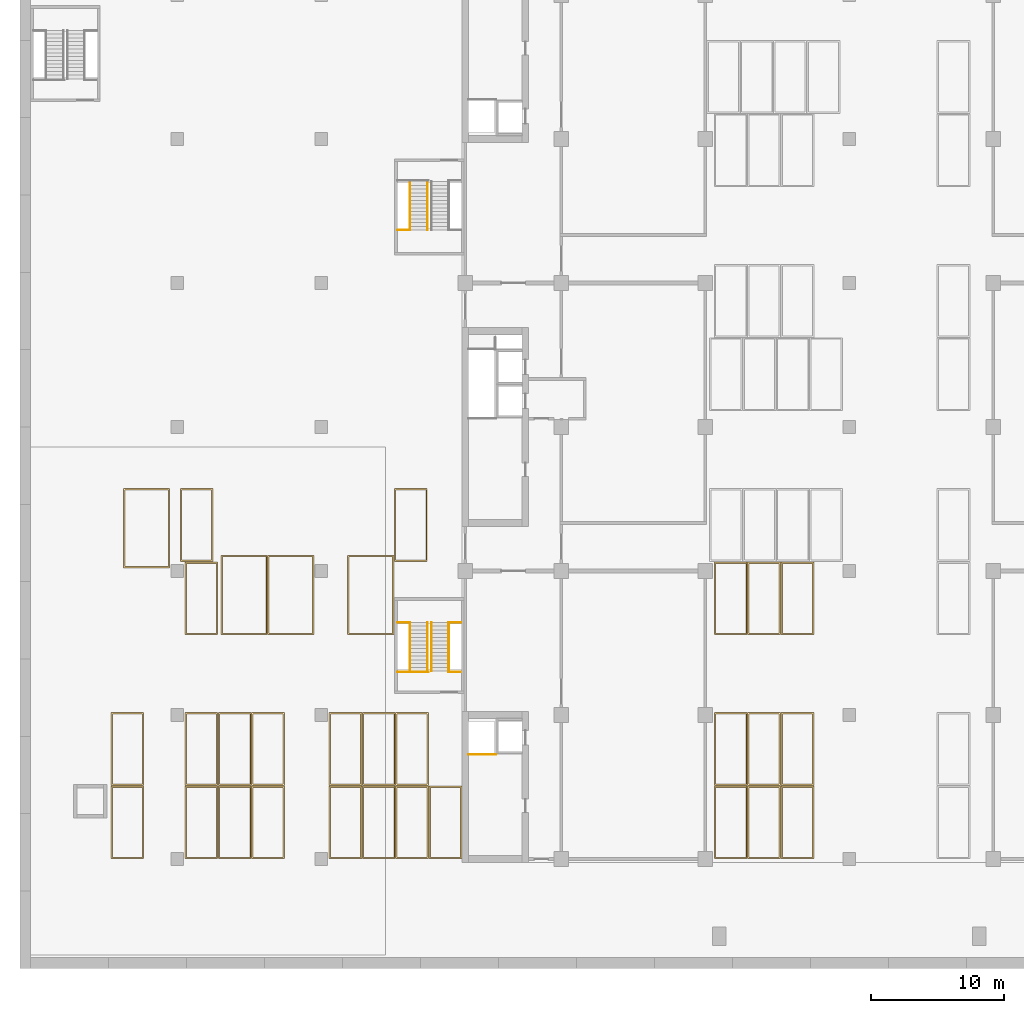
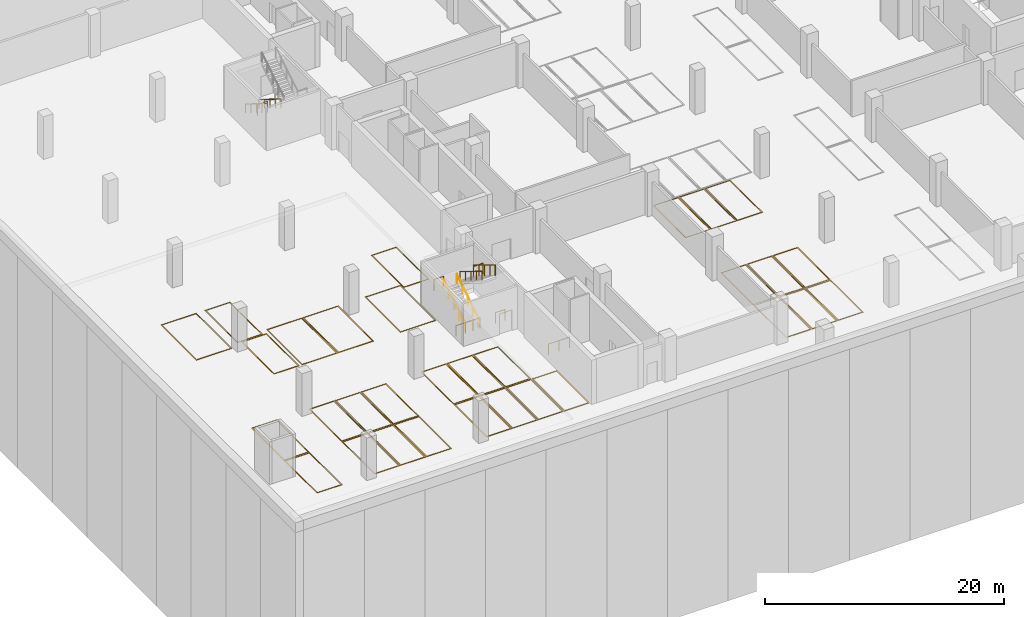
# One storey, part 11 of 18: 31 coverings, 13 railings.
"""IFC4 building model written with IfcOpenShell, lengths in metres."""

from ifc_helpers import new_model, si_unit, direction, frame, origin, origin_2d, place, context, subcontext, project, spatial, polyline, circle, outline, extrude, material, layer, layer_set, type_object, element, save


model = new_model("IFC4")

# Units and contexts
model_context = context("Model", 3, precision=1e-05, world=origin(), true_north=direction((0.0, 1.0)))
body_context = subcontext(model_context, "Body", "Model", "MODEL_VIEW")
ifc_project = project(units=[si_unit("LENGTHUNIT", "METRE"), si_unit("AREAUNIT", "SQUARE_METRE"), si_unit("VOLUMEUNIT", "CUBIC_METRE"), si_unit("PLANEANGLEUNIT", "RADIAN"), si_unit("MASSUNIT", "GRAM", prefix="KILO")], contexts=[model_context])

# Site, building, storey
site_placement = place(None, origin())
site = spatial("IfcSite", under=ifc_project, at=site_placement, CompositionType="ELEMENT")
building_placement = place(site_placement, origin())
building = spatial("IfcBuilding", under=site, at=building_placement, Name="Basin Gate Institute", CompositionType="ELEMENT")
storey_placement = place(building_placement, frame((0.0, 0.0, -4.800048828125)))
storey = spatial("IfcBuildingStorey", under=building, at=storey_placement, Name="B1", CompositionType="ELEMENT", Elevation=-4.800048828125)

# Coverings
ifc_material_1 = material(Name="Road marking paint, blue")
ifc_layer_1 = layer(ifc_material_1, 0.010009765625)
ifc_layer_set_1 = layer_set([ifc_layer_1], Name="Accessible parking bay marking PM2")
covering_type_1 = type_object("IfcCoveringType", Name="Accessible parking bay marking PM2", PredefinedType="FLOORING", material=ifc_layer_set_1)
covering_1_placement = place(storey_placement, origin())
element("IfcCovering", 1, at=covering_1_placement, inside=storey, type_object=covering_type_1, material=ifc_layer_set_1, Name="Accessible parking bay marking B1-01 01", PredefinedType="FLOORING", context=body_context, shape_type="SweptSolid", body=[
    extrude(outline(polyline([(52.3701171875, 51.919921875), (55.830078125, 51.919921875), (55.830078125, 57.8798828125), (52.3701171875, 57.8798828125), (52.3701171875, 51.919921875)]), holes=[polyline([(52.469970703125, 52.02001953125), (55.72998046875, 52.02001953125), (55.72998046875, 57.780029296875), (52.469970703125, 57.780029296875), (52.469970703125, 52.02001953125)])]), origin(), (0.0, 0.0, 1.0), 0.010009765625),
])
covering_2_placement = place(storey_placement, origin())
element("IfcCovering", 2, at=covering_2_placement, inside=storey, type_object=covering_type_1, material=ifc_layer_set_1, Name="Accessible parking bay marking B1-01 02", PredefinedType="FLOORING", context=body_context, shape_type="SweptSolid", body=[
    extrude(outline(polyline([(46.3701171875, 51.919921875), (49.830078125, 51.919921875), (49.830078125, 57.8798828125), (46.3701171875, 57.8798828125), (46.3701171875, 51.919921875)]), holes=[polyline([(46.469970703125, 52.02001953125), (49.72998046875, 52.02001953125), (49.72998046875, 57.780029296875), (46.469970703125, 57.780029296875), (46.469970703125, 52.02001953125)])]), origin(), (0.0, 0.0, 1.0), 0.010009765625),
])
covering_3_placement = place(storey_placement, origin())
element("IfcCovering", 3, at=covering_3_placement, inside=storey, type_object=covering_type_1, material=ifc_layer_set_1, Name="Accessible parking bay marking B1-01 03", PredefinedType="FLOORING", context=body_context, shape_type="SweptSolid", body=[
    extrude(outline(polyline([(42.8701171875, 51.919921875), (46.330078125, 51.919921875), (46.330078125, 57.8798828125), (42.8701171875, 57.8798828125), (42.8701171875, 51.919921875)]), holes=[polyline([(42.969970703125, 52.02001953125), (46.22998046875, 52.02001953125), (46.22998046875, 57.780029296875), (42.969970703125, 57.780029296875), (42.969970703125, 52.02001953125)])]), origin(), (0.0, 0.0, 1.0), 0.010009765625),
])
covering_4_placement = place(storey_placement, origin())
element("IfcCovering", 4, at=covering_4_placement, inside=storey, type_object=covering_type_1, material=ifc_layer_set_1, Name="Accessible parking bay marking B1-01 04", PredefinedType="FLOORING", context=body_context, shape_type="SweptSolid", body=[
    extrude(outline(polyline([(35.570068359375, 56.919921875), (39.030029296875, 56.919921875), (39.030029296875, 62.8798828125), (35.570068359375, 62.8798828125), (35.570068359375, 56.919921875)]), holes=[polyline([(35.669921875, 57.02001953125), (38.929931640625, 57.02001953125), (38.929931640625, 62.780029296875), (35.669921875, 62.780029296875), (35.669921875, 57.02001953125)])]), origin(), (0.0, 0.0, 1.0), 0.010009765625),
])

# Railing
ifc_material_2 = material(Name="Galvanised steel tube and mesh infill", Category="steel")
railing_type_1 = type_object("IfcRailingType", Name="Duct opening guard RL-D", PredefinedType="GUARDRAIL", material=ifc_material_2)
railing_1_placement = place(storey_placement, frame((61.449951171875, 42.93994140625, 0.0)))
element("IfcRailing", 5, at=railing_1_placement, inside=storey, type_object=railing_type_1, material=ifc_material_2, Name="Riser opening guard RL-D WS A", PredefinedType="GUARDRAIL", context=body_context, shape_type="SweptSolid", body=[
    extrude(circle(Radius=0.02392578125, at=origin_2d()), frame((0.0, 0.0, 1.076171875), z_axis=(1.0, 0.0, 0.0), x_axis=(0.0, 1.0, 0.0)), (0.0, 0.0, 1.0), 2.050048828125),
    extrude(circle(Radius=0.02099609375, at=origin_2d()), origin(), (0.0, 0.0, 1.0), 1.052001953125),
    extrude(circle(Radius=0.02099609375, at=origin_2d()), frame((1.02490234375, 0.0, 0.0)), (0.0, 0.0, 1.0), 1.052001953125),
    extrude(circle(Radius=0.02099609375, at=origin_2d()), frame((2.050048828125, 0.0, 0.0)), (0.0, 0.0, 1.0), 1.052001953125),
])

# Coverings
ifc_material_3 = material(Name="Road marking paint, white")
ifc_layer_2 = layer(ifc_material_3, 0.010009765625)
ifc_layer_set_2 = layer_set([ifc_layer_2], Name="Parking bay marking PM1")
covering_type_2 = type_object("IfcCoveringType", Name="Parking bay marking PM1", PredefinedType="FLOORING", material=ifc_layer_set_2)
covering_5_placement = place(storey_placement, origin())
element("IfcCovering", 6, at=covering_5_placement, inside=storey, type_object=covering_type_2, material=ifc_layer_set_2, Name="Parking bay marking B1-01 01", PredefinedType="FLOORING", context=body_context, shape_type="SweptSolid", body=[
    extrude(outline(polyline([(34.6201171875, 35.1201171875), (37.080078125, 35.1201171875), (37.080078125, 40.580078125), (34.6201171875, 40.580078125), (34.6201171875, 35.1201171875)]), holes=[polyline([(34.719970703125, 35.219970703125), (36.97998046875, 35.219970703125), (36.97998046875, 40.47998046875), (34.719970703125, 40.47998046875), (34.719970703125, 35.219970703125)])]), origin(), (0.0, 0.0, 1.0), 0.010009765625),
])
covering_6_placement = place(storey_placement, origin())
element("IfcCovering", 7, at=covering_6_placement, inside=storey, type_object=covering_type_2, material=ifc_layer_set_2, Name="Parking bay marking B1-01 02", PredefinedType="FLOORING", context=body_context, shape_type="SweptSolid", body=[
    extrude(outline(polyline([(40.169921875, 35.1201171875), (42.6298828125, 35.1201171875), (42.6298828125, 40.580078125), (40.169921875, 40.580078125), (40.169921875, 35.1201171875)]), holes=[polyline([(40.27001953125, 35.219970703125), (42.530029296875, 35.219970703125), (42.530029296875, 40.47998046875), (40.27001953125, 40.47998046875), (40.27001953125, 35.219970703125)])]), origin(), (0.0, 0.0, 1.0), 0.010009765625),
])
covering_7_placement = place(storey_placement, origin())
element("IfcCovering", 8, at=covering_7_placement, inside=storey, type_object=covering_type_2, material=ifc_layer_set_2, Name="Parking bay marking B1-01 03", PredefinedType="FLOORING", context=body_context, shape_type="SweptSolid", body=[
    extrude(outline(polyline([(42.669921875, 35.1201171875), (45.1298828125, 35.1201171875), (45.1298828125, 40.580078125), (42.669921875, 40.580078125), (42.669921875, 35.1201171875)]), holes=[polyline([(42.77001953125, 35.219970703125), (45.030029296875, 35.219970703125), (45.030029296875, 40.47998046875), (42.77001953125, 40.47998046875), (42.77001953125, 35.219970703125)])]), origin(), (0.0, 0.0, 1.0), 0.010009765625),
])
covering_8_placement = place(storey_placement, origin())
element("IfcCovering", 9, at=covering_8_placement, inside=storey, type_object=covering_type_2, material=ifc_layer_set_2, Name="Parking bay marking B1-01 04", PredefinedType="FLOORING", context=body_context, shape_type="SweptSolid", body=[
    extrude(outline(polyline([(45.169921875, 35.1201171875), (47.6298828125, 35.1201171875), (47.6298828125, 40.580078125), (45.169921875, 40.580078125), (45.169921875, 35.1201171875)]), holes=[polyline([(45.27001953125, 35.219970703125), (47.530029296875, 35.219970703125), (47.530029296875, 40.47998046875), (45.27001953125, 40.47998046875), (45.27001953125, 35.219970703125)])]), origin(), (0.0, 0.0, 1.0), 0.010009765625),
])
covering_9_placement = place(storey_placement, origin())
element("IfcCovering", 10, at=covering_9_placement, inside=storey, type_object=covering_type_2, material=ifc_layer_set_2, Name="Parking bay marking B1-01 05", PredefinedType="FLOORING", context=body_context, shape_type="SweptSolid", body=[
    extrude(outline(polyline([(50.969970703125, 35.1201171875), (53.429931640625, 35.1201171875), (53.429931640625, 40.580078125), (50.969970703125, 40.580078125), (50.969970703125, 35.1201171875)]), holes=[polyline([(51.070068359375, 35.219970703125), (53.330078125, 35.219970703125), (53.330078125, 40.47998046875), (51.070068359375, 40.47998046875), (51.070068359375, 35.219970703125)])]), origin(), (0.0, 0.0, 1.0), 0.010009765625),
])
covering_10_placement = place(storey_placement, origin())
element("IfcCovering", 11, at=covering_10_placement, inside=storey, type_object=covering_type_2, material=ifc_layer_set_2, Name="Parking bay marking B1-01 06", PredefinedType="FLOORING", context=body_context, shape_type="SweptSolid", body=[
    extrude(outline(polyline([(53.469970703125, 35.1201171875), (55.929931640625, 35.1201171875), (55.929931640625, 40.580078125), (53.469970703125, 40.580078125), (53.469970703125, 35.1201171875)]), holes=[polyline([(53.570068359375, 35.219970703125), (55.830078125, 35.219970703125), (55.830078125, 40.47998046875), (53.570068359375, 40.47998046875), (53.570068359375, 35.219970703125)])]), origin(), (0.0, 0.0, 1.0), 0.010009765625),
])
covering_11_placement = place(storey_placement, origin())
element("IfcCovering", 12, at=covering_11_placement, inside=storey, type_object=covering_type_2, material=ifc_layer_set_2, Name="Parking bay marking B1-01 07", PredefinedType="FLOORING", context=body_context, shape_type="SweptSolid", body=[
    extrude(outline(polyline([(55.969970703125, 35.1201171875), (58.429931640625, 35.1201171875), (58.429931640625, 40.580078125), (55.969970703125, 40.580078125), (55.969970703125, 35.1201171875)]), holes=[polyline([(56.070068359375, 35.219970703125), (58.330078125, 35.219970703125), (58.330078125, 40.47998046875), (56.070068359375, 40.47998046875), (56.070068359375, 35.219970703125)])]), origin(), (0.0, 0.0, 1.0), 0.010009765625),
])
covering_12_placement = place(storey_placement, origin())
element("IfcCovering", 13, at=covering_12_placement, inside=storey, type_object=covering_type_2, material=ifc_layer_set_2, Name="Parking bay marking B1-01 08", PredefinedType="FLOORING", context=body_context, shape_type="SweptSolid", body=[
    extrude(outline(polyline([(58.469970703125, 35.1201171875), (60.929931640625, 35.1201171875), (60.929931640625, 40.580078125), (58.469970703125, 40.580078125), (58.469970703125, 35.1201171875)]), holes=[polyline([(58.570068359375, 35.219970703125), (60.830078125, 35.219970703125), (60.830078125, 40.47998046875), (58.570068359375, 40.47998046875), (58.570068359375, 35.219970703125)])]), origin(), (0.0, 0.0, 1.0), 0.010009765625),
])
covering_13_placement = place(storey_placement, origin())
element("IfcCovering", 14, at=covering_13_placement, inside=storey, type_object=covering_type_2, material=ifc_layer_set_2, Name="Parking bay marking B1-01 09", PredefinedType="FLOORING", context=body_context, shape_type="SweptSolid", body=[
    extrude(outline(polyline([(34.6201171875, 40.6201171875), (37.080078125, 40.6201171875), (37.080078125, 46.080078125), (34.6201171875, 46.080078125), (34.6201171875, 40.6201171875)]), holes=[polyline([(34.719970703125, 40.719970703125), (36.97998046875, 40.719970703125), (36.97998046875, 45.97998046875), (34.719970703125, 45.97998046875), (34.719970703125, 40.719970703125)])]), origin(), (0.0, 0.0, 1.0), 0.010009765625),
])
covering_14_placement = place(storey_placement, origin())
element("IfcCovering", 15, at=covering_14_placement, inside=storey, type_object=covering_type_2, material=ifc_layer_set_2, Name="Parking bay marking B1-01 10", PredefinedType="FLOORING", context=body_context, shape_type="SweptSolid", body=[
    extrude(outline(polyline([(40.169921875, 40.6201171875), (42.6298828125, 40.6201171875), (42.6298828125, 46.080078125), (40.169921875, 46.080078125), (40.169921875, 40.6201171875)]), holes=[polyline([(40.27001953125, 40.719970703125), (42.530029296875, 40.719970703125), (42.530029296875, 45.97998046875), (40.27001953125, 45.97998046875), (40.27001953125, 40.719970703125)])]), origin(), (0.0, 0.0, 1.0), 0.010009765625),
])
covering_15_placement = place(storey_placement, origin())
element("IfcCovering", 16, at=covering_15_placement, inside=storey, type_object=covering_type_2, material=ifc_layer_set_2, Name="Parking bay marking B1-01 11", PredefinedType="FLOORING", context=body_context, shape_type="SweptSolid", body=[
    extrude(outline(polyline([(42.669921875, 40.6201171875), (45.1298828125, 40.6201171875), (45.1298828125, 46.080078125), (42.669921875, 46.080078125), (42.669921875, 40.6201171875)]), holes=[polyline([(42.77001953125, 40.719970703125), (45.030029296875, 40.719970703125), (45.030029296875, 45.97998046875), (42.77001953125, 45.97998046875), (42.77001953125, 40.719970703125)])]), origin(), (0.0, 0.0, 1.0), 0.010009765625),
])
covering_16_placement = place(storey_placement, origin())
element("IfcCovering", 17, at=covering_16_placement, inside=storey, type_object=covering_type_2, material=ifc_layer_set_2, Name="Parking bay marking B1-01 12", PredefinedType="FLOORING", context=body_context, shape_type="SweptSolid", body=[
    extrude(outline(polyline([(45.169921875, 40.6201171875), (47.6298828125, 40.6201171875), (47.6298828125, 46.080078125), (45.169921875, 46.080078125), (45.169921875, 40.6201171875)]), holes=[polyline([(45.27001953125, 40.719970703125), (47.530029296875, 40.719970703125), (47.530029296875, 45.97998046875), (45.27001953125, 45.97998046875), (45.27001953125, 40.719970703125)])]), origin(), (0.0, 0.0, 1.0), 0.010009765625),
])
covering_17_placement = place(storey_placement, origin())
element("IfcCovering", 18, at=covering_17_placement, inside=storey, type_object=covering_type_2, material=ifc_layer_set_2, Name="Parking bay marking B1-01 13", PredefinedType="FLOORING", context=body_context, shape_type="SweptSolid", body=[
    extrude(outline(polyline([(50.969970703125, 40.6201171875), (53.429931640625, 40.6201171875), (53.429931640625, 46.080078125), (50.969970703125, 46.080078125), (50.969970703125, 40.6201171875)]), holes=[polyline([(51.070068359375, 40.719970703125), (53.330078125, 40.719970703125), (53.330078125, 45.97998046875), (51.070068359375, 45.97998046875), (51.070068359375, 40.719970703125)])]), origin(), (0.0, 0.0, 1.0), 0.010009765625),
])
covering_18_placement = place(storey_placement, origin())
element("IfcCovering", 19, at=covering_18_placement, inside=storey, type_object=covering_type_2, material=ifc_layer_set_2, Name="Parking bay marking B1-01 14", PredefinedType="FLOORING", context=body_context, shape_type="SweptSolid", body=[
    extrude(outline(polyline([(53.469970703125, 40.6201171875), (55.929931640625, 40.6201171875), (55.929931640625, 46.080078125), (53.469970703125, 46.080078125), (53.469970703125, 40.6201171875)]), holes=[polyline([(53.570068359375, 40.719970703125), (55.830078125, 40.719970703125), (55.830078125, 45.97998046875), (53.570068359375, 45.97998046875), (53.570068359375, 40.719970703125)])]), origin(), (0.0, 0.0, 1.0), 0.010009765625),
])
covering_19_placement = place(storey_placement, origin())
element("IfcCovering", 20, at=covering_19_placement, inside=storey, type_object=covering_type_2, material=ifc_layer_set_2, Name="Parking bay marking B1-01 15", PredefinedType="FLOORING", context=body_context, shape_type="SweptSolid", body=[
    extrude(outline(polyline([(55.969970703125, 40.6201171875), (58.429931640625, 40.6201171875), (58.429931640625, 46.080078125), (55.969970703125, 46.080078125), (55.969970703125, 40.6201171875)]), holes=[polyline([(56.070068359375, 40.719970703125), (58.330078125, 40.719970703125), (58.330078125, 45.97998046875), (56.070068359375, 45.97998046875), (56.070068359375, 40.719970703125)])]), origin(), (0.0, 0.0, 1.0), 0.010009765625),
])
covering_20_placement = place(storey_placement, origin())
element("IfcCovering", 21, at=covering_20_placement, inside=storey, type_object=covering_type_2, material=ifc_layer_set_2, Name="Parking bay marking B1-01 16", PredefinedType="FLOORING", context=body_context, shape_type="SweptSolid", body=[
    extrude(outline(polyline([(40.169921875, 51.919921875), (42.6298828125, 51.919921875), (42.6298828125, 57.3798828125), (40.169921875, 57.3798828125), (40.169921875, 51.919921875)]), holes=[polyline([(40.27001953125, 52.02001953125), (42.530029296875, 52.02001953125), (42.530029296875, 57.280029296875), (40.27001953125, 57.280029296875), (40.27001953125, 52.02001953125)])]), origin(), (0.0, 0.0, 1.0), 0.010009765625),
])
covering_21_placement = place(storey_placement, origin())
element("IfcCovering", 22, at=covering_21_placement, inside=storey, type_object=covering_type_2, material=ifc_layer_set_2, Name="Parking bay marking B1-01 17", PredefinedType="FLOORING", context=body_context, shape_type="SweptSolid", body=[
    extrude(outline(polyline([(39.820068359375, 57.419921875), (42.280029296875, 57.419921875), (42.280029296875, 62.8798828125), (39.820068359375, 62.8798828125), (39.820068359375, 57.419921875)]), holes=[polyline([(39.919921875, 57.52001953125), (42.179931640625, 57.52001953125), (42.179931640625, 62.780029296875), (39.919921875, 62.780029296875), (39.919921875, 57.52001953125)])]), origin(), (0.0, 0.0, 1.0), 0.010009765625),
])
covering_22_placement = place(storey_placement, origin())
element("IfcCovering", 23, at=covering_22_placement, inside=storey, type_object=covering_type_2, material=ifc_layer_set_2, Name="Parking bay marking B1-01 18", PredefinedType="FLOORING", context=body_context, shape_type="SweptSolid", body=[
    extrude(outline(polyline([(55.8701171875, 57.419921875), (58.330078125, 57.419921875), (58.330078125, 62.8798828125), (55.8701171875, 62.8798828125), (55.8701171875, 57.419921875)]), holes=[polyline([(55.969970703125, 57.52001953125), (58.22998046875, 57.52001953125), (58.22998046875, 62.780029296875), (55.969970703125, 62.780029296875), (55.969970703125, 57.52001953125)])]), origin(), (0.0, 0.0, 1.0), 0.010009765625),
])
covering_23_placement = place(storey_placement, origin())
element("IfcCovering", 24, at=covering_23_placement, inside=storey, type_object=covering_type_2, material=ifc_layer_set_2, Name="Parking bay marking B1-02 51", PredefinedType="FLOORING", context=body_context, shape_type="SweptSolid", body=[
    extrude(outline(polyline([(79.8701171875, 35.1201171875), (82.330078125, 35.1201171875), (82.330078125, 40.580078125), (79.8701171875, 40.580078125), (79.8701171875, 35.1201171875)]), holes=[polyline([(79.969970703125, 35.219970703125), (82.22998046875, 35.219970703125), (82.22998046875, 40.47998046875), (79.969970703125, 40.47998046875), (79.969970703125, 35.219970703125)])]), origin(), (0.0, 0.0, 1.0), 0.010009765625),
])
covering_24_placement = place(storey_placement, origin())
element("IfcCovering", 25, at=covering_24_placement, inside=storey, type_object=covering_type_2, material=ifc_layer_set_2, Name="Parking bay marking B1-02 52", PredefinedType="FLOORING", context=body_context, shape_type="SweptSolid", body=[
    extrude(outline(polyline([(82.3701171875, 35.1201171875), (84.830078125, 35.1201171875), (84.830078125, 40.580078125), (82.3701171875, 40.580078125), (82.3701171875, 35.1201171875)]), holes=[polyline([(82.469970703125, 35.219970703125), (84.72998046875, 35.219970703125), (84.72998046875, 40.47998046875), (82.469970703125, 40.47998046875), (82.469970703125, 35.219970703125)])]), origin(), (0.0, 0.0, 1.0), 0.010009765625),
])
covering_25_placement = place(storey_placement, origin())
element("IfcCovering", 26, at=covering_25_placement, inside=storey, type_object=covering_type_2, material=ifc_layer_set_2, Name="Parking bay marking B1-02 53", PredefinedType="FLOORING", context=body_context, shape_type="SweptSolid", body=[
    extrude(outline(polyline([(84.8701171875, 35.1201171875), (87.330078125, 35.1201171875), (87.330078125, 40.580078125), (84.8701171875, 40.580078125), (84.8701171875, 35.1201171875)]), holes=[polyline([(84.969970703125, 35.219970703125), (87.22998046875, 35.219970703125), (87.22998046875, 40.47998046875), (84.969970703125, 40.47998046875), (84.969970703125, 35.219970703125)])]), origin(), (0.0, 0.0, 1.0), 0.010009765625),
])
covering_26_placement = place(storey_placement, origin())
element("IfcCovering", 27, at=covering_26_placement, inside=storey, type_object=covering_type_2, material=ifc_layer_set_2, Name="Parking bay marking B1-02 54", PredefinedType="FLOORING", context=body_context, shape_type="SweptSolid", body=[
    extrude(outline(polyline([(79.8701171875, 40.6201171875), (82.330078125, 40.6201171875), (82.330078125, 46.080078125), (79.8701171875, 46.080078125), (79.8701171875, 40.6201171875)]), holes=[polyline([(79.969970703125, 40.719970703125), (82.22998046875, 40.719970703125), (82.22998046875, 45.97998046875), (79.969970703125, 45.97998046875), (79.969970703125, 40.719970703125)])]), origin(), (0.0, 0.0, 1.0), 0.010009765625),
])
covering_27_placement = place(storey_placement, origin())
element("IfcCovering", 28, at=covering_27_placement, inside=storey, type_object=covering_type_2, material=ifc_layer_set_2, Name="Parking bay marking B1-02 55", PredefinedType="FLOORING", context=body_context, shape_type="SweptSolid", body=[
    extrude(outline(polyline([(82.3701171875, 40.6201171875), (84.830078125, 40.6201171875), (84.830078125, 46.080078125), (82.3701171875, 46.080078125), (82.3701171875, 40.6201171875)]), holes=[polyline([(82.469970703125, 40.719970703125), (84.72998046875, 40.719970703125), (84.72998046875, 45.97998046875), (82.469970703125, 45.97998046875), (82.469970703125, 40.719970703125)])]), origin(), (0.0, 0.0, 1.0), 0.010009765625),
])
covering_28_placement = place(storey_placement, origin())
element("IfcCovering", 29, at=covering_28_placement, inside=storey, type_object=covering_type_2, material=ifc_layer_set_2, Name="Parking bay marking B1-02 56", PredefinedType="FLOORING", context=body_context, shape_type="SweptSolid", body=[
    extrude(outline(polyline([(84.8701171875, 40.6201171875), (87.330078125, 40.6201171875), (87.330078125, 46.080078125), (84.8701171875, 46.080078125), (84.8701171875, 40.6201171875)]), holes=[polyline([(84.969970703125, 40.719970703125), (87.22998046875, 40.719970703125), (87.22998046875, 45.97998046875), (84.969970703125, 45.97998046875), (84.969970703125, 40.719970703125)])]), origin(), (0.0, 0.0, 1.0), 0.010009765625),
])
covering_29_placement = place(storey_placement, origin())
element("IfcCovering", 30, at=covering_29_placement, inside=storey, type_object=covering_type_2, material=ifc_layer_set_2, Name="Parking bay marking B1-02 57", PredefinedType="FLOORING", context=body_context, shape_type="SweptSolid", body=[
    extrude(outline(polyline([(79.8701171875, 51.919921875), (82.330078125, 51.919921875), (82.330078125, 57.3798828125), (79.8701171875, 57.3798828125), (79.8701171875, 51.919921875)]), holes=[polyline([(79.969970703125, 52.02001953125), (82.22998046875, 52.02001953125), (82.22998046875, 57.280029296875), (79.969970703125, 57.280029296875), (79.969970703125, 52.02001953125)])]), origin(), (0.0, 0.0, 1.0), 0.010009765625),
])
covering_30_placement = place(storey_placement, origin())
element("IfcCovering", 31, at=covering_30_placement, inside=storey, type_object=covering_type_2, material=ifc_layer_set_2, Name="Parking bay marking B1-02 58", PredefinedType="FLOORING", context=body_context, shape_type="SweptSolid", body=[
    extrude(outline(polyline([(82.3701171875, 51.919921875), (84.830078125, 51.919921875), (84.830078125, 57.3798828125), (82.3701171875, 57.3798828125), (82.3701171875, 51.919921875)]), holes=[polyline([(82.469970703125, 52.02001953125), (84.72998046875, 52.02001953125), (84.72998046875, 57.280029296875), (82.469970703125, 57.280029296875), (82.469970703125, 52.02001953125)])]), origin(), (0.0, 0.0, 1.0), 0.010009765625),
])
covering_31_placement = place(storey_placement, origin())
element("IfcCovering", 32, at=covering_31_placement, inside=storey, type_object=covering_type_2, material=ifc_layer_set_2, Name="Parking bay marking B1-02 59", PredefinedType="FLOORING", context=body_context, shape_type="SweptSolid", body=[
    extrude(outline(polyline([(84.8701171875, 51.919921875), (87.330078125, 51.919921875), (87.330078125, 57.3798828125), (84.8701171875, 57.3798828125), (84.8701171875, 51.919921875)]), holes=[polyline([(84.969970703125, 52.02001953125), (87.22998046875, 52.02001953125), (87.22998046875, 57.280029296875), (84.969970703125, 57.280029296875), (84.969970703125, 52.02001953125)])]), origin(), (0.0, 0.0, 1.0), 0.010009765625),
])

# Railings
ifc_material_4 = material(Name="Stainless steel", Category="steel")
railing_type_2 = type_object("IfcRailingType", Name="Stair guard GR1", PredefinedType="GUARDRAIL", material=ifc_material_4)
railing_2_placement = place(storey_placement, frame((57.050048828125, 49.1201171875, 0.0)))
element("IfcRailing", 33, at=railing_2_placement, inside=storey, type_object=railing_type_2, material=ifc_material_4, Name="Stair guard GR1 BS1 GD4-B2", PredefinedType="GUARDRAIL", context=body_context, shape_type="SweptSolid", body=[
    extrude(circle(Radius=0.02392578125, at=origin_2d()), frame((0.0, 0.0, 1.076171875), z_axis=(1.0, 0.0, 0.0), x_axis=(0.0, 1.0, 0.0)), (0.0, 0.0, 1.0), 1.39990234375),
    extrude(circle(Radius=0.02099609375, at=origin_2d()), origin(), (0.0, 0.0, 1.0), 1.052001953125),
    extrude(circle(Radius=0.02099609375, at=origin_2d()), frame((0.699951171875, 0.0, 0.0)), (0.0, 0.0, 1.0), 1.052001953125),
    extrude(circle(Radius=0.02099609375, at=origin_2d()), frame((1.39990234375, 0.0, 0.0)), (0.0, 0.0, 1.0), 1.052001953125),
])
railing_3_placement = place(storey_placement, frame((56.1298828125, 49.1201171875, 0.0)))
element("IfcRailing", 34, at=railing_3_placement, inside=storey, type_object=railing_type_2, material=ifc_material_4, Name="Stair guard GR1 BS1 GD4b-B2", PredefinedType="GUARDRAIL", context=body_context, shape_type="SweptSolid", body=[
    extrude(circle(Radius=0.02392578125, at=origin_2d()), frame((0.0, 0.0, 1.076171875), z_axis=(1.0, 0.0, 0.0), x_axis=(0.0, 1.0, 0.0)), (0.0, 0.0, 1.0), 0.920166015625),
    extrude(circle(Radius=0.02099609375, at=origin_2d()), origin(), (0.0, 0.0, 1.0), 1.052001953125),
    extrude(circle(Radius=0.02099609375, at=origin_2d()), frame((0.920166015625, 0.0, 0.0)), (0.0, 0.0, 1.0), 1.052001953125),
])
railing_4_placement = place(storey_placement, frame((59.949951171875, 49.1201171875, 0.0)))
element("IfcRailing", 35, at=railing_4_placement, inside=storey, type_object=railing_type_2, material=ifc_material_4, Name="Stair guard GR1 BS1 GD5-B2", PredefinedType="GUARDRAIL", context=body_context, shape_type="SweptSolid", body=[
    extrude(circle(Radius=0.02392578125, at=origin_2d()), frame((0.0, 0.0, 1.076171875), z_axis=(1.0, 0.0, 0.0), x_axis=(0.0, 1.0, 0.0)), (0.0, 0.0, 1.0), 0.900146484375),
    extrude(circle(Radius=0.02099609375, at=origin_2d()), origin(), (0.0, 0.0, 1.0), 1.052001953125),
    extrude(circle(Radius=0.02099609375, at=origin_2d()), frame((0.900146484375, 0.0, 0.0)), (0.0, 0.0, 1.0), 1.052001953125),
])
railing_5_placement = place(storey_placement, frame((59.949951171875, 52.840087890625, 2.571533203125)))
element("IfcRailing", 36, at=railing_5_placement, inside=storey, type_object=railing_type_2, material=ifc_material_4, Name="Stair guard GR1 BS1 GD1", PredefinedType="GUARDRAIL", context=body_context, shape_type="SweptSolid", body=[
    extrude(circle(Radius=0.02392578125, at=origin_2d()), frame((0.0, 0.0, 1.076171875), z_axis=(0.0, -0.852865859571, 0.52213008492), x_axis=(1.0, 0.0, 0.0)), (0.0, 0.0, 1.0), 4.26806640625),
    extrude(circle(Radius=0.02099609375, at=origin_2d()), origin(), (0.0, 0.0, 1.0), 1.052001953125),
    extrude(circle(Radius=0.02099609375, at=origin_2d()), frame((0.0, -0.91015625, 0.55712890625)), (0.0, 0.0, 1.0), 1.052001953125),
    extrude(circle(Radius=0.02099609375, at=origin_2d()), frame((0.0, -1.820068359375, 1.1142578125)), (0.0, 0.0, 1.0), 1.052001953125),
    extrude(circle(Radius=0.02099609375, at=origin_2d()), frame((0.0, -2.72998046875, 1.67138671875)), (0.0, 0.0, 1.0), 1.052001953125),
    extrude(circle(Radius=0.02099609375, at=origin_2d()), frame((0.0, -3.64013671875, 2.228515625)), (0.0, 0.0, 1.0), 1.052001953125),
])
ifc_material_5 = material(Name="Stainless steel", Category="steel")
railing_type_3 = type_object("IfcRailingType", Name="Stair guard GR3", PredefinedType="GUARDRAIL", material=ifc_material_5)
for number, where, name in (
    (37, (59.949951171875, 52.840087890625, 2.400146484375), "Stair guard GR3 BS1 GD2"),
    (38, (56.1298828125, 52.840087890625, 2.400146484375), "Stair guard GR3 BS1 GD2b"),
    (39, (56.1298828125, 82.260009765625, 2.400146484375), "Stair guard GR3 BS2 GD2b"),
):
    element("IfcRailing", number, at=place(storey_placement, frame(where)), inside=storey, type_object=railing_type_3, material=ifc_material_5, Name=name, PredefinedType="GUARDRAIL", context=body_context, shape_type="SweptSolid", body=[
        extrude(circle(Radius=0.02392578125, at=origin_2d()), frame((0.0, 0.0, 1.1259765625), z_axis=(1.0, 0.0, 0.0), x_axis=(0.0, 1.0, 0.0)), (0.0, 0.0, 1.0), 0.920166015625),
        extrude(circle(Radius=0.02099609375, at=origin_2d()), origin(), (0.0, 0.0, 1.0), 1.101806640625),
        extrude(circle(Radius=0.02099609375, at=origin_2d()), frame((0.920166015625, 0.0, 0.0)), (0.0, 0.0, 1.0), 1.101806640625),
    ])
ifc_material_6 = material(Name="Stainless steel", Category="steel")
railing_type_4 = type_object("IfcRailingType", Name="Stair handrail HR1", PredefinedType="HANDRAIL", material=ifc_material_6)
for number, where, name in (
    (40, (57.050048828125, 49.199951171875, 0.17138671875), "Stair handrail HR1 BS1 HR1"),
    (41, (58.35009765625, 49.199951171875, 0.17138671875), "Stair handrail HR1 BS1 HR2"),
):
    element("IfcRailing", number, at=place(storey_placement, frame(where)), inside=storey, type_object=railing_type_4, material=ifc_material_6, Name=name, PredefinedType="HANDRAIL", context=body_context, shape_type="SweptSolid", body=[
        extrude(circle(Radius=0.02392578125, at=origin_2d()), frame((0.0, 0.0, 0.89599609375), z_axis=(0.0, 0.852840387347, 0.522171689878), x_axis=(-1.0, 0.0, 0.0)), (0.0, 0.0, 1.0), 4.268310546875),
        extrude(circle(Radius=0.02099609375, at=origin_2d()), origin(), (0.0, 0.0, 1.0), 0.871826171875),
        extrude(circle(Radius=0.02099609375, at=origin_2d()), frame((0.0, 0.91015625, 0.55712890625)), (0.0, 0.0, 1.0), 0.871826171875),
        extrude(circle(Radius=0.02099609375, at=origin_2d()), frame((0.0, 1.820068359375, 1.1142578125)), (0.0, 0.0, 1.0), 0.871826171875),
        extrude(circle(Radius=0.02099609375, at=origin_2d()), frame((0.0, 2.72998046875, 1.671630859375)), (0.0, 0.0, 1.0), 0.871826171875),
        extrude(circle(Radius=0.02099609375, at=origin_2d()), frame((0.0, 3.64013671875, 2.228759765625)), (0.0, 0.0, 1.0), 0.871826171875),
    ])
railing_6_placement = place(storey_placement, frame((58.64990234375, 52.840087890625, 2.571533203125)))
element("IfcRailing", 42, at=railing_6_placement, inside=storey, type_object=railing_type_4, material=ifc_material_6, Name="Stair handrail HR1 BS1 HR3", PredefinedType="HANDRAIL", context=body_context, shape_type="SweptSolid", body=[
    extrude(circle(Radius=0.02392578125, at=origin_2d()), frame((0.0, 0.0, 0.89599609375), z_axis=(0.0, -0.852865859571, 0.52213008492), x_axis=(1.0, 0.0, 0.0)), (0.0, 0.0, 1.0), 4.26806640625),
    extrude(circle(Radius=0.02099609375, at=origin_2d()), origin(), (0.0, 0.0, 1.0), 0.871826171875),
    extrude(circle(Radius=0.02099609375, at=origin_2d()), frame((0.0, -0.91015625, 0.55712890625)), (0.0, 0.0, 1.0), 0.871826171875),
    extrude(circle(Radius=0.02099609375, at=origin_2d()), frame((0.0, -1.820068359375, 1.1142578125)), (0.0, 0.0, 1.0), 0.871826171875),
    extrude(circle(Radius=0.02099609375, at=origin_2d()), frame((0.0, -2.72998046875, 1.67138671875)), (0.0, 0.0, 1.0), 0.871826171875),
    extrude(circle(Radius=0.02099609375, at=origin_2d()), frame((0.0, -3.64013671875, 2.228515625)), (0.0, 0.0, 1.0), 0.871826171875),
])
for number, where, name in (
    (43, (57.050048828125, 85.89990234375, 0.17138671875), "Stair handrail HR1 BS2 HR1"),
    (44, (58.35009765625, 85.89990234375, 0.17138671875), "Stair handrail HR1 BS2 HR2"),
):
    element("IfcRailing", number, at=place(storey_placement, frame(where)), inside=storey, type_object=railing_type_4, material=ifc_material_6, Name=name, PredefinedType="HANDRAIL", context=body_context, shape_type="SweptSolid", body=[
        extrude(circle(Radius=0.02392578125, at=origin_2d()), frame((0.0, 0.0, 0.89599609375), z_axis=(0.0, -0.852824790078, 0.522197163366), x_axis=(1.0, 0.0, 0.0)), (0.0, 0.0, 1.0), 4.26806640625),
        extrude(circle(Radius=0.02099609375, at=origin_2d()), origin(), (0.0, 0.0, 1.0), 0.871826171875),
        extrude(circle(Radius=0.02099609375, at=origin_2d()), frame((0.0, -0.909912109375, 0.55712890625)), (0.0, 0.0, 1.0), 0.871826171875),
        extrude(circle(Radius=0.02099609375, at=origin_2d()), frame((0.0, -1.81982421875, 1.1142578125)), (0.0, 0.0, 1.0), 0.871826171875),
        extrude(circle(Radius=0.02099609375, at=origin_2d()), frame((0.0, -2.72998046875, 1.671630859375)), (0.0, 0.0, 1.0), 0.871826171875),
        extrude(circle(Radius=0.02099609375, at=origin_2d()), frame((0.0, -3.639892578125, 2.228759765625)), (0.0, 0.0, 1.0), 0.871826171875),
    ])

save(model, "model.ifc")
